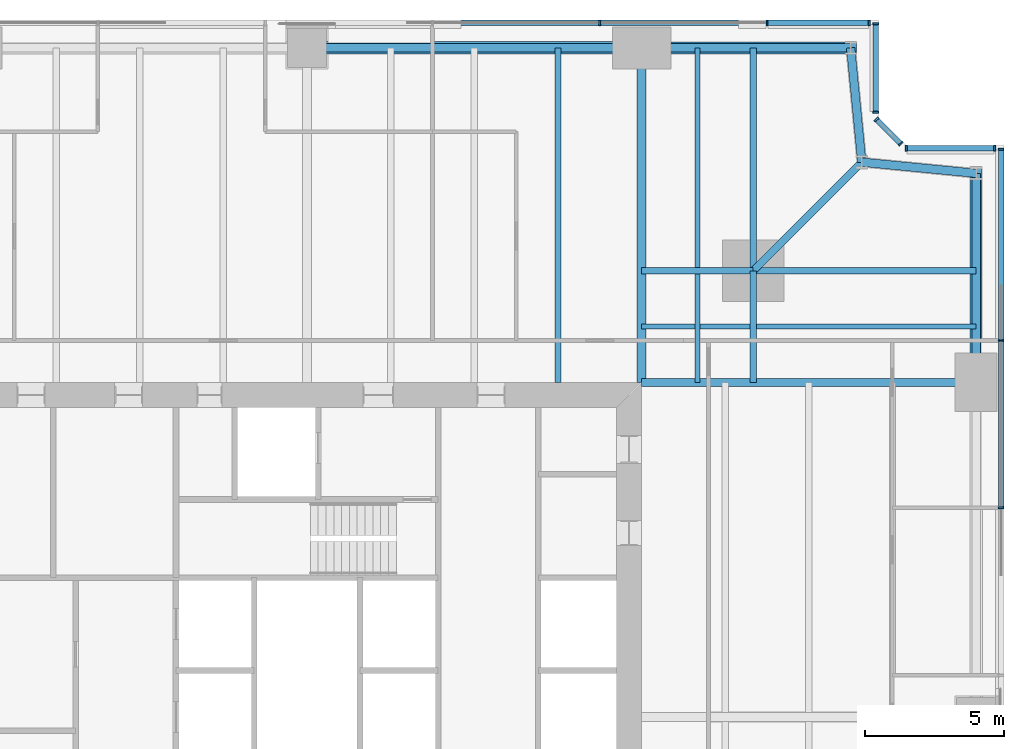
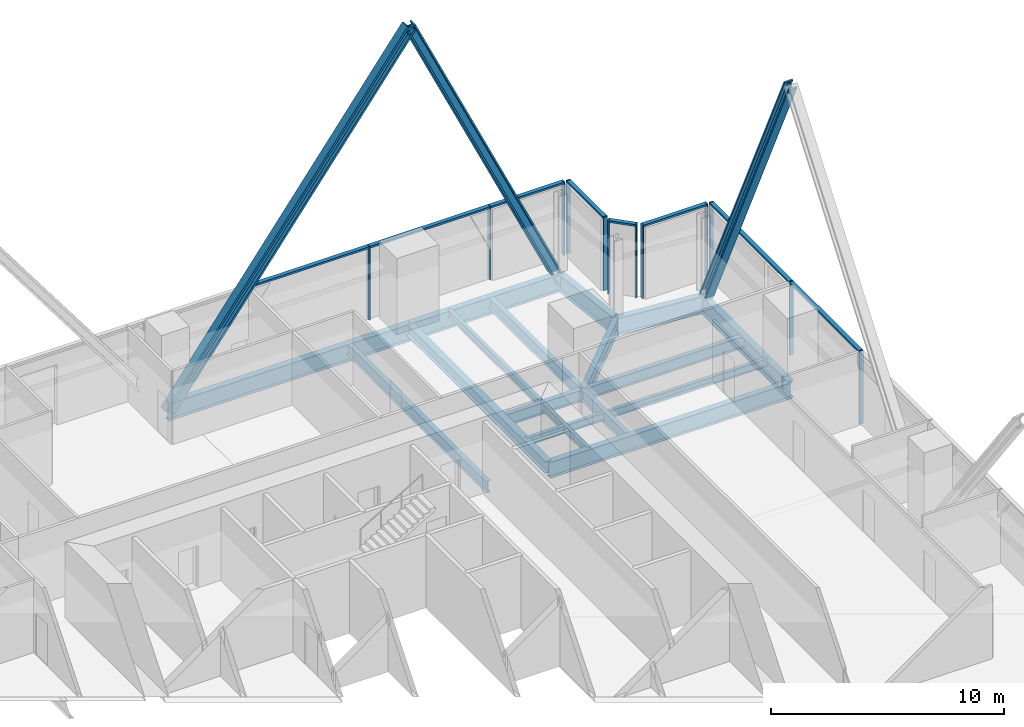
# One storey, part 7 of 13: 23 members, 18 beams, 5 elements without a shape of their own.
"""IFC4 building model written with IfcOpenShell, lengths in metres."""

import ifcopenshell
import ifcopenshell.guid

model = None  # the IFC model being written
_history = None  # IfcOwnerHistory: only IFC2X3 demands one
_inside = {}  # id of a spatial element -> (the spatial element, [elements in it])
_under = {}  # id of a project, library or spatial element -> (it, [spatial elements below it])
_declared = {}  # id of a project -> (the project, [libraries it declares])
_typed = {}  # id of a type object -> (the type object, [elements of that type])
_made_of = {}  # id of a material, layer set ... -> (it, [elements and type objects made of it])


def new_model(schema):
    """Start an empty IFC model of exactly this schema.

    Asked for "IFC4X3", IfcOpenShell would pick the latest addendum, in which some entities
    have other attributes; the version numbers below select the first issue.
    IFC2X3 requires an IfcOwnerHistory on every rooted entity: one is made here for all.
    """
    global model, _history
    if schema == "IFC4X3":
        model = ifcopenshell.file(schema_version=(4, 3, 0, 0))
    else:
        model = ifcopenshell.file(schema=schema)
    _inside.clear()
    _under.clear()
    _declared.clear()
    _typed.clear()
    _made_of.clear()
    _history = None
    if model.schema == "IFC2X3":
        org = make("IfcOrganization", Name="unknown")
        user = make(
            "IfcPersonAndOrganization",
            ThePerson=make("IfcPerson", FamilyName="unknown"),
            TheOrganization=org,
        )
        app = make(
            "IfcApplication",
            ApplicationDeveloper=org,
            Version="unknown",
            ApplicationFullName="unknown",
            ApplicationIdentifier="unknown",
        )
        _history = make(
            "IfcOwnerHistory",
            OwningUser=user,
            OwningApplication=app,
            ChangeAction="ADDED",
            CreationDate=0,
        )
    return model


def make(cls, **values):
    """One entity of the class cls with the attributes given. An attribute that is None is left unset."""
    return model.create_entity(
        cls, **{name: value for name, value in values.items() if value is not None}
    )


def rooted(cls, **values):
    """An entity with a GlobalId (a new one), such as an element, a storey or a relation."""
    return make(cls, GlobalId=ifcopenshell.guid.new(), OwnerHistory=_history, **values)


def si_unit(unit_type, name, prefix=None):
    """IfcSIUnit, for example si_unit("LENGTHUNIT", "METRE", prefix="MILLI")."""
    return make("IfcSIUnit", UnitType=unit_type, Prefix=prefix, Name=name)


def assignment(units):
    """IfcUnitAssignment: the units of a project."""
    return None if units is None else make("IfcUnitAssignment", Units=units)


def point(xyz):
    """IfcCartesianPoint."""
    return None if xyz is None else make("IfcCartesianPoint", Coordinates=xyz)


def direction(xyz):
    """IfcDirection."""
    return None if xyz is None else make("IfcDirection", DirectionRatios=xyz)


def frame(location, z_axis=None, x_axis=None):
    """IfcAxis2Placement3D, a coordinate frame: its origin and axes. An axis left out is left unset."""
    return make(
        "IfcAxis2Placement3D",
        Location=point(location),
        Axis=direction(z_axis),
        RefDirection=direction(x_axis),
    )


def frame_2d(location, x_axis=None):
    """IfcAxis2Placement2D, a coordinate frame in the plane: its origin and x axis."""
    return make(
        "IfcAxis2Placement2D", Location=point(location), RefDirection=direction(x_axis)
    )


def origin():
    """The frame at (0, 0, 0) with its axes left unset."""
    return frame((0.0, 0.0, 0.0))


def origin_2d():
    """The frame at (0, 0) in the plane with its x axis left unset."""
    return frame_2d((0.0, 0.0))


def place(relative_to, where):
    """IfcLocalPlacement: puts the frame where relative to a parent placement (None: the world)."""
    return make(
        "IfcLocalPlacement", PlacementRelTo=relative_to, RelativePlacement=where
    )


def context(
    kind, dimensions, precision=None, world=None, true_north=None, identifier=None
):
    """IfcGeometricRepresentationContext, for example the 3D "Model" context."""
    return make(
        "IfcGeometricRepresentationContext",
        ContextIdentifier=identifier,
        ContextType=kind,
        CoordinateSpaceDimension=dimensions,
        Precision=precision,
        WorldCoordinateSystem=world,
        TrueNorth=true_north,
    )


def subcontext(parent, identifier, kind, view, scale=None):
    """IfcGeometricRepresentationSubContext, for example "Body" below "Model"."""
    return make(
        "IfcGeometricRepresentationSubContext",
        ContextIdentifier=identifier,
        ContextType=kind,
        ParentContext=parent,
        TargetScale=scale,
        TargetView=view,
    )


def project(units=None, contexts=None):
    """IfcProject with its units and contexts."""
    return rooted(
        "IfcProject",
        Name="project",
        RepresentationContexts=contexts,
        UnitsInContext=assignment(units),
    )


def spatial(cls, under=None, at=None, **own):
    """A site, building, storey or space (cls), placed at a placement, below another one or the project."""
    s = rooted(cls, ObjectPlacement=at, **own)
    if under is not None:
        _under.setdefault(under.id(), (under, []))[1].append(s)
    return s


def profile(cls, at=None, kind="AREA", **sizes):
    """A parametric profile (cls). Its sizes go by their IFC names, for example OverallWidth=200.0."""
    return make(cls, ProfileType=kind, Position=at, **sizes)


def rectangle(**sizes):
    """IfcRectangleProfileDef."""
    return profile("IfcRectangleProfileDef", **sizes)


def i_section(**sizes):
    """IfcIShapeProfileDef."""
    return profile("IfcIShapeProfileDef", **sizes)


def extrude(swept, where, along, depth):
    """IfcExtrudedAreaSolid: the profile swept, set in the frame where, extruded along a direction by depth."""
    return make(
        "IfcExtrudedAreaSolid",
        SweptArea=swept,
        Position=where,
        ExtrudedDirection=direction(along),
        Depth=depth,
    )


def shape(context_of_items, identifier, shape_type, items):
    """IfcShapeRepresentation: the items that make up one representation, for example the "Body"."""
    return make(
        "IfcShapeRepresentation",
        ContextOfItems=context_of_items,
        RepresentationIdentifier=identifier,
        RepresentationType=shape_type,
        Items=items,
    )


def material(Name=None, Category=None):
    """IfcMaterial."""
    return make("IfcMaterial", Name=Name, Category=Category)


def material_profile(
    of_material, cross_section, Name=None, Category=None, Priority=None
):
    """IfcMaterialProfile: a cross section and its material."""
    return make(
        "IfcMaterialProfile",
        Name=Name,
        Material=of_material,
        Profile=cross_section,
        Priority=Priority,
        Category=Category,
    )


def profile_set(profiles, Name=None, composite=None):
    """IfcMaterialProfileSet."""
    return make(
        "IfcMaterialProfileSet",
        Name=Name,
        MaterialProfiles=profiles,
        CompositeProfile=composite,
    )


def made_of(thing, what):
    """Note that an element or type object is made of a material, layer set ...; save() writes the relation."""
    if what is not None:
        _made_of.setdefault(what.id(), (what, []))[1].append(thing)
    return thing


def type_object(cls, material=None, **own):
    """A type object (cls), such as IfcWallType, which elements share."""
    return made_of(rooted(cls, **own), material)


def element(
    cls,
    number,
    at=None,
    inside=None,
    cuts=None,
    type_object=None,
    material=None,
    context=None,
    identifier="Body",
    shape_type=None,
    held_by="IfcProductDefinitionShape",
    body=None,
    shapes=None,
    **own,
):
    """One element of the class cls, such as IfcWall. Its Tag is "e" and its number.

    at: its placement. inside: the storey or other place that contains it. cuts: it is an
    opening in that element (IfcRelVoidsElement). A single representation is given by context,
    identifier, shape_type and body (its items); several are given by shapes. held_by: the class
    of the entity that holds the representations. save() writes the other relations.
    """
    e = rooted(cls, Tag="e%d" % number, ObjectPlacement=at, **own)
    if body is not None:
        shapes = [shape(context, identifier, shape_type, body)]
    if shapes is not None:
        e.Representation = make(held_by, Representations=shapes)
    if inside is not None:
        _inside.setdefault(inside.id(), (inside, []))[1].append(e)
    if cuts is not None:
        rooted(
            "IfcRelVoidsElement", RelatingBuildingElement=cuts, RelatedOpeningElement=e
        )
    if type_object is not None:
        _typed.setdefault(type_object.id(), (type_object, []))[1].append(e)
    return made_of(e, material)


def aggregate(whole, parts):
    """IfcRelAggregates: a whole, such as a stair, and the parts it consists of."""
    return rooted("IfcRelAggregates", RelatingObject=whole, RelatedObjects=parts)


def save(model, path):
    """Write the relations noted so far, then the file.

    IfcRelAggregates (storeys below a building ...), IfcRelContainedInSpatialStructure (elements
    in a storey), IfcRelDefinesByType, IfcRelAssociatesMaterial and IfcRelDeclares: one each for
    every whole, place, type object, material and project.
    """
    for whole, parts in _under.values():
        aggregate(whole, parts)
    for where, things in _inside.values():
        rooted(
            "IfcRelContainedInSpatialStructure",
            RelatedElements=things,
            RelatingStructure=where,
        )
    for kind, things in _typed.values():
        rooted("IfcRelDefinesByType", RelatedObjects=things, RelatingType=kind)
    for what, things in _made_of.values():
        rooted("IfcRelAssociatesMaterial", RelatedObjects=things, RelatingMaterial=what)
    for by, libraries in _declared.values():
        rooted("IfcRelDeclares", RelatingContext=by, RelatedDefinitions=libraries)
    model.write(path)


model = new_model("IFC4")

# Units and contexts
model_context = context("Model", 3, precision=1e-05, world=origin(), true_north=direction((0.0, 1.0)))
body_context = subcontext(model_context, "Body", "Model", "MODEL_VIEW")
ifc_project = project(units=[si_unit("LENGTHUNIT", "METRE"), si_unit("AREAUNIT", "SQUARE_METRE"), si_unit("VOLUMEUNIT", "CUBIC_METRE"), si_unit("PLANEANGLEUNIT", "RADIAN"), si_unit("MASSUNIT", "GRAM", prefix="KILO")], contexts=[model_context])

# Site, building, storey
site_placement = place(None, origin())
site = spatial("IfcSite", under=ifc_project, at=site_placement, CompositionType="ELEMENT")
building_placement = place(site_placement, origin())
building = spatial("IfcBuilding", under=site, at=building_placement, Name="Fenwick Lantern Interchange", CompositionType="ELEMENT")
storey_placement = place(building_placement, frame((0.0, 0.0, 114.39990234375)))
storey = spatial("IfcBuildingStorey", under=building, at=storey_placement, Name="L26", CompositionType="ELEMENT", Elevation=114.39990234375)

# Beams
ifc_material_1 = material(Name="Steel ASTM A992 Grade 50", Category="steel")
ifc_material_profile_1 = material_profile(ifc_material_1, i_section(OverallWidth=0.3046875, OverallDepth=0.911865234375, WebThickness=0.015869140625, FlangeThickness=0.02392578125, at=origin_2d()), Name="W36X150")
ifc_profile_set_1 = profile_set([ifc_material_profile_1], Name="Steel ASTM A992 Grade 50")
beam_type_1 = type_object("IfcBeamType", Name="EDGE BEAM W36X150", PredefinedType="SPANDREL", material=ifc_profile_set_1)
beam_1_placement = place(storey_placement, frame((49.0, 37.0, -0.605712890625), z_axis=(0.0, 1.0, 0.0), x_axis=(-1.0, 0.0, 0.0)))
element("IfcBeam", 1, at=beam_1_placement, inside=storey, type_object=beam_type_1, Name="L26/FR/E/EB4", PredefinedType="SPANDREL", context=body_context, shape_type="SweptSolid", body=[
    extrude(i_section(OverallWidth=0.3046875, OverallDepth=0.911865234375, WebThickness=0.015869140625, FlangeThickness=0.02392578125, at=origin_2d()), origin(), (0.0, 0.0, 1.0), 7.5),
])
for number, where, z_axis, x_axis, name in (
    (2, (49.0, 44.5, -0.605712890625), (-0.995277148028, 0.097074191287, 0.0), (-0.097074191287, -0.995277148028, 0.0), "L26/FR/E/EBR1"),
    (3, (44.89990234375, 44.89990234375, -0.605712890625), (-0.097074191287, 0.995277148028, 0.0), (-0.995277148028, -0.097074191287, 0.0), "L26/FR/E/EBR2"),
):
    element("IfcBeam", number, at=place(storey_placement, frame(where, z_axis=z_axis, x_axis=x_axis)), inside=storey, type_object=beam_type_1, Name=name, PredefinedType="SPANDREL", context=body_context, shape_type="SweptSolid", body=[
        extrude(i_section(OverallWidth=0.3046875, OverallDepth=0.911865234375, WebThickness=0.015869140625, FlangeThickness=0.02392578125, at=origin_2d()), origin(), (0.0, 0.0, 1.0), 4.11962890625),
    ])
beam_2_placement = place(storey_placement, frame((44.5, 49.0, -0.605712890625), z_axis=(-1.0, 0.0, 0.0), x_axis=(0.0, -1.0, 0.0)))
element("IfcBeam", 4, at=beam_2_placement, inside=storey, type_object=beam_type_1, Name="L26/FR/N/EB1", PredefinedType="SPANDREL", context=body_context, shape_type="SweptSolid", body=[
    extrude(i_section(OverallWidth=0.3046875, OverallDepth=0.911865234375, WebThickness=0.015869140625, FlangeThickness=0.02392578125, at=origin_2d()), origin(), (0.0, 0.0, 1.0), 7.5),
])
beam_3_placement = place(storey_placement, frame((37.0, 49.0, -0.605712890625), z_axis=(-1.0, 0.0, 0.0), x_axis=(0.0, -1.0, 0.0)))
element("IfcBeam", 5, at=beam_3_placement, inside=storey, type_object=beam_type_1, Name="L26/FR/N/EB2", PredefinedType="SPANDREL", context=body_context, shape_type="SweptSolid", body=[
    extrude(i_section(OverallWidth=0.3046875, OverallDepth=0.911865234375, WebThickness=0.015869140625, FlangeThickness=0.02392578125, at=origin_2d()), origin(), (0.0, 0.0, 1.0), 12.0),
])

# Members
ifc_material_profile_2 = material_profile(ifc_material_1, i_section(OverallWidth=0.424072265625, OverallDepth=0.47509765625, WebThickness=0.0478515625, FlangeThickness=0.0771484375, at=origin_2d()), Name="W14X426")
ifc_profile_set_2 = profile_set([ifc_material_profile_2], Name="Steel ASTM A992 Grade 50")
member_type_1 = type_object("IfcMemberType", Name="FACADE BRACE W14X426", PredefinedType="BRACE", material=ifc_profile_set_2)
for number, where, z_axis, x_axis, name in (
    (6, (49.0, 44.5, -0.605712890625), (0.0, -0.424433876231, 0.905458935959), (1.0, 0.0, 0.0), "L26/FB/E/BE"),
    (7, (44.5, 49.0, -0.605712890625), (-0.424433876231, 0.0, 0.905458935959), (0.0, -1.0, 0.0), "L26/FB/N/AE"),
):
    element("IfcMember", number, at=place(storey_placement, frame(where, z_axis=z_axis, x_axis=x_axis)), inside=storey, type_object=member_type_1, Name=name, PredefinedType="BRACE", context=body_context, shape_type="SweptSolid", body=[
        extrude(i_section(OverallWidth=0.424072265625, OverallDepth=0.47509765625, WebThickness=0.0478515625, FlangeThickness=0.0771484375, at=origin_2d()), origin(), (0.0, 0.0, 1.0), 17.670654296875),
    ])
ifc_material_profile_3 = material_profile(ifc_material_1, i_section(OverallWidth=0.44189453125, OverallDepth=0.53076171875, WebThickness=0.06591796875, FlangeThickness=0.105712890625, at=origin_2d()), Name="W14X605")
ifc_profile_set_3 = profile_set([ifc_material_profile_3], Name="Steel ASTM A992 Grade 50")
member_type_2 = type_object("IfcMemberType", Name="FACADE BRACE W14X605", PredefinedType="BRACE", material=ifc_profile_set_3)
member_1_placement = place(storey_placement, frame((25.0, 49.0, -0.605712890625), z_axis=(0.6, 0.0, 0.8), x_axis=(0.0, 1.0, 0.0)))
element("IfcMember", 8, at=member_1_placement, inside=storey, type_object=member_type_2, Name="L26/FB/N/A", PredefinedType="BRACE", context=body_context, shape_type="SweptSolid", body=[
    extrude(i_section(OverallWidth=0.44189453125, OverallDepth=0.53076171875, WebThickness=0.06591796875, FlangeThickness=0.105712890625, at=origin_2d()), origin(), (0.0, 0.0, 1.0), 20.0),
])

# Beams
ifc_material_profile_4 = material_profile(ifc_material_1, i_section(OverallWidth=0.22900390625, OverallDepth=0.612060546875, WebThickness=0.011962890625, FlangeThickness=0.01953125, at=origin_2d()), Name="W24X84")
ifc_profile_set_4 = profile_set([ifc_material_profile_4], Name="Steel ASTM A992 Grade 50")
beam_type_2 = type_object("IfcBeamType", Name="FLOOR BEAM W24X84", PredefinedType="BEAM", material=ifc_profile_set_4)
beam_4_placement = place(storey_placement, frame((34.0, 49.0, -0.4560546875), z_axis=(0.0, -1.0, 0.0), x_axis=(1.0, 0.0, 0.0)))
element("IfcBeam", 9, at=beam_4_placement, inside=storey, type_object=beam_type_2, Name="L26/FR/N/R02", PredefinedType="BEAM", context=body_context, shape_type="SweptSolid", body=[
    extrude(i_section(OverallWidth=0.22900390625, OverallDepth=0.612060546875, WebThickness=0.011962890625, FlangeThickness=0.01953125, at=origin_2d()), origin(), (0.0, 0.0, 1.0), 12.0),
])
ifc_material_profile_5 = material_profile(ifc_material_1, i_section(OverallWidth=0.177734375, OverallDepth=0.406494140625, WebThickness=0.0078125, FlangeThickness=0.012939453125, at=origin_2d()), Name="W16X40")
ifc_profile_set_5 = profile_set([ifc_material_profile_5], Name="Steel ASTM A992 Grade 50")
beam_type_3 = type_object("IfcBeamType", Name="INFILL BEAM W16X40", PredefinedType="JOIST", material=ifc_profile_set_5)
beam_5_placement = place(storey_placement, frame((39.0, 49.0, -0.35302734375), z_axis=(0.0, -1.0, 0.0), x_axis=(1.0, 0.0, 0.0)))
element("IfcBeam", 10, at=beam_5_placement, inside=storey, type_object=beam_type_3, Name="L26/FR/N/J1", PredefinedType="JOIST", context=body_context, shape_type="SweptSolid", body=[
    extrude(i_section(OverallWidth=0.177734375, OverallDepth=0.406494140625, WebThickness=0.0078125, FlangeThickness=0.012939453125, at=origin_2d()), origin(), (0.0, 0.0, 1.0), 7.885498046875),
])
beam_6_placement = place(storey_placement, frame((39.0, 40.885498046875, -0.35302734375), z_axis=(0.0, -1.0, 0.0), x_axis=(1.0, 0.0, 0.0)))
element("IfcBeam", 11, at=beam_6_placement, inside=storey, type_object=beam_type_3, Name="L26/FR/N/J2", PredefinedType="JOIST", context=body_context, shape_type="SweptSolid", body=[
    extrude(i_section(OverallWidth=0.177734375, OverallDepth=0.406494140625, WebThickness=0.0078125, FlangeThickness=0.012939453125, at=origin_2d()), origin(), (0.0, 0.0, 1.0), 3.885498046875),
])
beam_7_placement = place(storey_placement, frame((49.0, 39.0, -0.35302734375), z_axis=(-1.0, 0.0, 0.0), x_axis=(0.0, -1.0, 0.0)))
element("IfcBeam", 12, at=beam_7_placement, inside=storey, type_object=beam_type_3, Name="L26/FR/N/J3", PredefinedType="JOIST", context=body_context, shape_type="SweptSolid", body=[
    extrude(i_section(OverallWidth=0.177734375, OverallDepth=0.406494140625, WebThickness=0.0078125, FlangeThickness=0.012939453125, at=origin_2d()), origin(), (0.0, 0.0, 1.0), 7.885498046875),
])
beam_8_placement = place(storey_placement, frame((40.885498046875, 39.0, -0.35302734375), z_axis=(-1.0, 0.0, 0.0), x_axis=(0.0, -1.0, 0.0)))
element("IfcBeam", 13, at=beam_8_placement, inside=storey, type_object=beam_type_3, Name="L26/FR/N/J4", PredefinedType="JOIST", context=body_context, shape_type="SweptSolid", body=[
    extrude(i_section(OverallWidth=0.177734375, OverallDepth=0.406494140625, WebThickness=0.0078125, FlangeThickness=0.012939453125, at=origin_2d()), origin(), (0.0, 0.0, 1.0), 1.796630859375),
])
beam_9_placement = place(storey_placement, frame((38.9111328125, 39.0, -0.35302734375), z_axis=(-1.0, 0.0, 0.0), x_axis=(0.0, -1.0, 0.0)))
element("IfcBeam", 14, at=beam_9_placement, inside=storey, type_object=beam_type_3, Name="L26/FR/N/J5", PredefinedType="JOIST", context=body_context, shape_type="SweptSolid", body=[
    extrude(i_section(OverallWidth=0.177734375, OverallDepth=0.406494140625, WebThickness=0.0078125, FlangeThickness=0.012939453125, at=origin_2d()), origin(), (0.0, 0.0, 1.0), 1.9111328125),
])
ifc_material_profile_6 = material_profile(ifc_material_1, i_section(OverallWidth=0.22900390625, OverallDepth=0.612060546875, WebThickness=0.011962890625, FlangeThickness=0.01953125, at=origin_2d()), Name="W24X84")
ifc_profile_set_6 = profile_set([ifc_material_profile_6], Name="Steel ASTM A992 Grade 50")
beam_type_4 = type_object("IfcBeamType", Name="MEGA COLUMN BEAM W24X84", PredefinedType="BEAM", material=ifc_profile_set_6)
for number, where, z_axis, x_axis, name in (
    (15, (41.0, 41.0, -0.4560546875), (0.0, 1.0, 0.0), (-1.0, 0.0, 0.0), "L26/FR/N/MB1"),
    (16, (41.0, 41.0, -0.4560546875), (1.0, 0.0, 0.0), (0.0, 1.0, 0.0), "L26/FR/N/MB2"),
):
    element("IfcBeam", number, at=place(storey_placement, frame(where, z_axis=z_axis, x_axis=x_axis)), inside=storey, type_object=beam_type_4, Name=name, PredefinedType="BEAM", context=body_context, shape_type="SweptSolid", body=[
        extrude(i_section(OverallWidth=0.22900390625, OverallDepth=0.612060546875, WebThickness=0.011962890625, FlangeThickness=0.01953125, at=origin_2d()), origin(), (0.0, 0.0, 1.0), 8.0),
    ])
for number, where, z_axis, x_axis, name in (
    (17, (41.0, 41.0, -0.4560546875), (-1.0, 0.0, 0.0), (0.0, -1.0, 0.0), "L26/FR/N/MB3"),
    (18, (41.0, 41.0, -0.4560546875), (0.0, -1.0, 0.0), (1.0, 0.0, 0.0), "L26/FR/N/MB4"),
):
    element("IfcBeam", number, at=place(storey_placement, frame(where, z_axis=z_axis, x_axis=x_axis)), inside=storey, type_object=beam_type_4, Name=name, PredefinedType="BEAM", context=body_context, shape_type="SweptSolid", body=[
        extrude(i_section(OverallWidth=0.22900390625, OverallDepth=0.612060546875, WebThickness=0.011962890625, FlangeThickness=0.01953125, at=origin_2d()), origin(), (0.0, 0.0, 1.0), 4.0),
    ])
ifc_material_profile_7 = material_profile(ifc_material_1, i_section(OverallWidth=0.32763671875, OverallDepth=0.622314453125, WebThickness=0.015380859375, FlangeThickness=0.0244140625, at=origin_2d()), Name="W24X131")
ifc_profile_set_7 = profile_set([ifc_material_profile_7], Name="Steel ASTM A992 Grade 50")
beam_type_5 = type_object("IfcBeamType", Name="MOMENT-CONNECTED GIRDER W24X131", PredefinedType="BEAM", material=ifc_profile_set_7)
beam_10_placement = place(storey_placement, frame((37.0, 49.0, -0.4609375), z_axis=(0.0, -1.0, 0.0), x_axis=(1.0, 0.0, 0.0)))
element("IfcBeam", 19, at=beam_10_placement, inside=storey, type_object=beam_type_5, Name="L26/FR/N/R01", PredefinedType="BEAM", context=body_context, shape_type="SweptSolid", body=[
    extrude(i_section(OverallWidth=0.32763671875, OverallDepth=0.622314453125, WebThickness=0.015380859375, FlangeThickness=0.0244140625, at=origin_2d()), origin(), (0.0, 0.0, 1.0), 12.0),
])
ifc_material_profile_8 = material_profile(ifc_material_1, i_section(OverallWidth=0.2919921875, OverallDepth=0.845703125, WebThickness=0.015380859375, FlangeThickness=0.0244140625, at=origin_2d()), Name="W33X141")
ifc_profile_set_8 = profile_set([ifc_material_profile_8], Name="Steel ASTM A992 Grade 50")
beam_type_6 = type_object("IfcBeamType", Name="MOMENT-CONNECTED GIRDER W33X141", PredefinedType="BEAM", material=ifc_profile_set_8)
beam_11_placement = place(storey_placement, frame((49.0, 37.0, -0.57275390625), z_axis=(-1.0, 0.0, 0.0), x_axis=(0.0, -1.0, 0.0)))
element("IfcBeam", 20, at=beam_11_placement, inside=storey, type_object=beam_type_6, Name="L26/FR/E/R03", PredefinedType="BEAM", context=body_context, shape_type="SweptSolid", body=[
    extrude(i_section(OverallWidth=0.2919921875, OverallDepth=0.845703125, WebThickness=0.015380859375, FlangeThickness=0.0244140625, at=origin_2d()), origin(), (0.0, 0.0, 1.0), 12.0),
])
ifc_material_profile_9 = material_profile(ifc_material_1, i_section(OverallWidth=0.2666015625, OverallDepth=0.7568359375, WebThickness=0.013916015625, FlangeThickness=0.019287109375, at=origin_2d()), Name="W30X108")
ifc_profile_set_9 = profile_set([ifc_material_profile_9], Name="Steel ASTM A992 Grade 50")
beam_type_7 = type_object("IfcBeamType", Name="NOTCH BEAM W30X108", PredefinedType="BEAM", material=ifc_profile_set_9)
beam_12_placement = place(storey_placement, frame((41.0, 41.0, -0.5283203125), z_axis=(0.707106781187, 0.707106781187, 0.0), x_axis=(-0.707106781187, 0.707106781187, 0.0)))
element("IfcBeam", 21, at=beam_12_placement, inside=storey, type_object=beam_type_7, Name="L26/FR/N/TG", PredefinedType="BEAM", context=body_context, shape_type="SweptSolid", body=[
    extrude(i_section(OverallWidth=0.2666015625, OverallDepth=0.7568359375, WebThickness=0.013916015625, FlangeThickness=0.019287109375, at=origin_2d()), origin(), (0.0, 0.0, 1.0), 5.515380859375),
])

# Curtain wall, members
ifc_material_2 = material(Name="Aluminium curtain wall frame", Category="aluminium")
curtain_wall_type = type_object("IfcCurtainWallType", Name="OFFICE CURTAIN WALL", PredefinedType="USERDEFINED", material=ifc_material_2)
curtain_wall_1_placement = place(storey_placement, origin())
curtain_wall_1 = element("IfcCurtainWall", 22, at=curtain_wall_1_placement, inside=storey, type_object=curtain_wall_type, Name="Office curtain wall 05", ObjectType="OFFICE CURTAIN WALL", PredefinedType="USERDEFINED")
ifc_material_3 = material(Name="Aluminium extrusion", Category="aluminium")
ifc_material_profile_10 = material_profile(ifc_material_3, rectangle(XDim=0.199951171875, YDim=0.06494140625, at=origin_2d()), Name="OFFICE CURTAIN WALL MULLION 65 X 200")
ifc_profile_set_10 = profile_set([ifc_material_profile_10], Name="Aluminium extrusion")
member_type_3 = type_object("IfcMemberType", Name="OFFICE CURTAIN WALL MULLION 65 X 200", PredefinedType="MULLION", material=ifc_profile_set_10)
member_2_placement = place(storey_placement, frame((49.89990234375, 32.5, 0.0), z_axis=(0.0, 0.0, 1.0), x_axis=(-1.0, 0.0, 0.0)))
member_2 = element("IfcMember", 23, at=member_2_placement, type_object=member_type_3, Name="L26/CW/05/M05", PredefinedType="MULLION", context=body_context, shape_type="SweptSolid", body=[
    extrude(rectangle(XDim=0.199951171875, YDim=0.06494140625, at=origin_2d()), origin(), (0.0, 0.0, 1.0), 3.85009765625),
])
member_3_placement = place(storey_placement, frame((49.89990234375, 38.5, 0.0), z_axis=(0.0, 0.0, 1.0), x_axis=(-1.0, 0.0, 0.0)))
member_3 = element("IfcMember", 24, at=member_3_placement, type_object=member_type_3, Name="L26/CW/05/M06", PredefinedType="MULLION", context=body_context, shape_type="SweptSolid", body=[
    extrude(rectangle(XDim=0.199951171875, YDim=0.06494140625, at=origin_2d()), origin(), (0.0, 0.0, 1.0), 3.85009765625),
])
member_4_placement = place(storey_placement, frame((49.89990234375, 45.367431640625, 0.0), z_axis=(0.0, 0.0, 1.0), x_axis=(-1.0, 0.0, 0.0)))
member_4 = element("IfcMember", 25, at=member_4_placement, type_object=member_type_3, Name="L26/CW/05/M07", PredefinedType="MULLION", context=body_context, shape_type="SweptSolid", body=[
    extrude(rectangle(XDim=0.199951171875, YDim=0.06494140625, at=origin_2d()), origin(), (0.0, 0.0, 1.0), 3.85009765625),
])

curtain_wall_2_placement = place(storey_placement, origin())
curtain_wall_2 = element("IfcCurtainWall", 26, at=curtain_wall_2_placement, inside=storey, type_object=curtain_wall_type, Name="Office curtain wall 06", ObjectType="OFFICE CURTAIN WALL", PredefinedType="USERDEFINED")
member_5_placement = place(storey_placement, frame((49.66748046875, 45.39990234375, 0.0), z_axis=(0.0, 0.0, 1.0), x_axis=(0.0, -1.0, 0.0)))
member_5 = element("IfcMember", 27, at=member_5_placement, type_object=member_type_3, Name="L26/CW/06/M00", PredefinedType="MULLION", context=body_context, shape_type="SweptSolid", body=[
    extrude(rectangle(XDim=0.199951171875, YDim=0.06494140625, at=origin_2d()), origin(), (0.0, 0.0, 1.0), 3.85009765625),
])
member_6_placement = place(storey_placement, frame((46.490966796875, 45.39990234375, 0.0), z_axis=(0.0, 0.0, 1.0), x_axis=(0.0, -1.0, 0.0)))
member_6 = element("IfcMember", 28, at=member_6_placement, type_object=member_type_3, Name="L26/CW/06/M01", PredefinedType="MULLION", context=body_context, shape_type="SweptSolid", body=[
    extrude(rectangle(XDim=0.199951171875, YDim=0.06494140625, at=origin_2d()), origin(), (0.0, 0.0, 1.0), 3.85009765625),
])

curtain_wall_3_placement = place(storey_placement, origin())
curtain_wall_3 = element("IfcCurtainWall", 29, at=curtain_wall_3_placement, inside=storey, type_object=curtain_wall_type, Name="Office curtain wall 07", ObjectType="OFFICE CURTAIN WALL", PredefinedType="USERDEFINED")
member_7_placement = place(storey_placement, frame((46.294189453125, 45.564453125, 0.0), z_axis=(0.0, 0.0, 1.0), x_axis=(-0.707106781187, -0.707106781187, 0.0)))
member_7 = element("IfcMember", 30, at=member_7_placement, type_object=member_type_3, Name="L26/CW/07/M00", PredefinedType="MULLION", context=body_context, shape_type="SweptSolid", body=[
    extrude(rectangle(XDim=0.199951171875, YDim=0.06494140625, at=origin_2d()), origin(), (0.0, 0.0, 1.0), 3.85009765625),
])
member_8_placement = place(storey_placement, frame((45.423095703125, 46.435546875, 0.0), z_axis=(0.0, 0.0, 1.0), x_axis=(-0.707106781187, -0.707106781187, 0.0)))
member_8 = element("IfcMember", 31, at=member_8_placement, type_object=member_type_3, Name="L26/CW/07/M01", PredefinedType="MULLION", context=body_context, shape_type="SweptSolid", body=[
    extrude(rectangle(XDim=0.199951171875, YDim=0.06494140625, at=origin_2d()), origin(), (0.0, 0.0, 1.0), 3.85009765625),
])

curtain_wall_4_placement = place(storey_placement, origin())
curtain_wall_4 = element("IfcCurtainWall", 32, at=curtain_wall_4_placement, inside=storey, type_object=curtain_wall_type, Name="Office curtain wall 08", ObjectType="OFFICE CURTAIN WALL", PredefinedType="USERDEFINED")
member_9_placement = place(storey_placement, frame((45.39990234375, 46.691162109375, 0.0), z_axis=(0.0, 0.0, 1.0), x_axis=(-1.0, 0.0, 0.0)))
member_9 = element("IfcMember", 33, at=member_9_placement, type_object=member_type_3, Name="L26/CW/08/M00", PredefinedType="MULLION", context=body_context, shape_type="SweptSolid", body=[
    extrude(rectangle(XDim=0.199951171875, YDim=0.06494140625, at=origin_2d()), origin(), (0.0, 0.0, 1.0), 3.85009765625),
])
member_10_placement = place(storey_placement, frame((45.39990234375, 49.867431640625, 0.0), z_axis=(0.0, 0.0, 1.0), x_axis=(-1.0, 0.0, 0.0)))
member_10 = element("IfcMember", 34, at=member_10_placement, type_object=member_type_3, Name="L26/CW/08/M01", PredefinedType="MULLION", context=body_context, shape_type="SweptSolid", body=[
    extrude(rectangle(XDim=0.199951171875, YDim=0.06494140625, at=origin_2d()), origin(), (0.0, 0.0, 1.0), 3.85009765625),
])

curtain_wall_5_placement = place(storey_placement, origin())
curtain_wall_5 = element("IfcCurtainWall", 35, at=curtain_wall_5_placement, inside=storey, type_object=curtain_wall_type, Name="Office curtain wall 09", ObjectType="OFFICE CURTAIN WALL", PredefinedType="USERDEFINED")
member_11_placement = place(storey_placement, frame((45.16748046875, 49.89990234375, 0.0), z_axis=(0.0, 0.0, 1.0), x_axis=(0.0, -1.0, 0.0)))
member_11 = element("IfcMember", 36, at=member_11_placement, type_object=member_type_3, Name="L26/CW/09/M00", PredefinedType="MULLION", context=body_context, shape_type="SweptSolid", body=[
    extrude(rectangle(XDim=0.199951171875, YDim=0.06494140625, at=origin_2d()), origin(), (0.0, 0.0, 1.0), 3.85009765625),
])
member_12_placement = place(storey_placement, frame((41.5, 49.89990234375, 0.0), z_axis=(0.0, 0.0, 1.0), x_axis=(0.0, -1.0, 0.0)))
member_12 = element("IfcMember", 37, at=member_12_placement, type_object=member_type_3, Name="L26/CW/09/M01", PredefinedType="MULLION", context=body_context, shape_type="SweptSolid", body=[
    extrude(rectangle(XDim=0.199951171875, YDim=0.06494140625, at=origin_2d()), origin(), (0.0, 0.0, 1.0), 3.85009765625),
])
member_13_placement = place(storey_placement, frame((35.5, 49.89990234375, 0.0), z_axis=(0.0, 0.0, 1.0), x_axis=(0.0, -1.0, 0.0)))
member_13 = element("IfcMember", 38, at=member_13_placement, type_object=member_type_3, Name="L26/CW/09/M02", PredefinedType="MULLION", context=body_context, shape_type="SweptSolid", body=[
    extrude(rectangle(XDim=0.199951171875, YDim=0.06494140625, at=origin_2d()), origin(), (0.0, 0.0, 1.0), 3.85009765625),
])

# Member
ifc_material_profile_11 = material_profile(ifc_material_3, rectangle(XDim=0.199951171875, YDim=0.10009765625, at=origin_2d()), Name="OFFICE CURTAIN WALL TRANSOM 100 X 200")
ifc_profile_set_11 = profile_set([ifc_material_profile_11], Name="Aluminium extrusion")
member_type_4 = type_object("IfcMemberType", Name="OFFICE CURTAIN WALL TRANSOM 100 X 200", PredefinedType="MULLION", material=ifc_profile_set_11)
member_14_placement = place(storey_placement, frame((49.89990234375, 32.532470703125, 3.800048828125), z_axis=(0.0, 1.0, 0.0), x_axis=(-1.0, 0.0, 0.0)))
member_14 = element("IfcMember", 39, at=member_14_placement, type_object=member_type_4, Name="L26/CW/05/T05", PredefinedType="MULLION", context=body_context, shape_type="SweptSolid", body=[
    extrude(rectangle(XDim=0.199951171875, YDim=0.10009765625, at=origin_2d()), origin(), (0.0, 0.0, 1.0), 5.93505859375),
])

member_15_placement = place(storey_placement, frame((49.89990234375, 38.532470703125, 3.800048828125), z_axis=(0.0, 1.0, 0.0), x_axis=(-1.0, 0.0, 0.0)))
member_15 = element("IfcMember", 40, at=member_15_placement, type_object=member_type_4, Name="L26/CW/05/T06", PredefinedType="MULLION", context=body_context, shape_type="SweptSolid", body=[
    extrude(rectangle(XDim=0.199951171875, YDim=0.10009765625, at=origin_2d()), origin(), (0.0, 0.0, 1.0), 6.802490234375),
])

aggregate(curtain_wall_1, [member_2, member_3, member_4, member_14, member_15])

member_16_placement = place(storey_placement, frame((49.635009765625, 45.39990234375, 3.800048828125), z_axis=(-1.0, 0.0, 0.0), x_axis=(0.0, -1.0, 0.0)))
member_16 = element("IfcMember", 41, at=member_16_placement, type_object=member_type_4, Name="L26/CW/06/T00", PredefinedType="MULLION", context=body_context, shape_type="SweptSolid", body=[
    extrude(rectangle(XDim=0.199951171875, YDim=0.10009765625, at=origin_2d()), origin(), (0.0, 0.0, 1.0), 3.111328125),
])

aggregate(curtain_wall_2, [member_5, member_6, member_16])

member_17_placement = place(storey_placement, frame((46.271240234375, 45.58740234375, 3.800048828125), z_axis=(-0.707106781187, 0.707106781187, 0.0), x_axis=(-0.707106781187, -0.707106781187, 0.0)))
member_17 = element("IfcMember", 42, at=member_17_placement, type_object=member_type_4, Name="L26/CW/07/T00", PredefinedType="MULLION", context=body_context, shape_type="SweptSolid", body=[
    extrude(rectangle(XDim=0.199951171875, YDim=0.10009765625, at=origin_2d()), origin(), (0.0, 0.0, 1.0), 1.1669921875),
])

aggregate(curtain_wall_3, [member_7, member_8, member_17])

member_18_placement = place(storey_placement, frame((45.39990234375, 46.7236328125, 3.800048828125), z_axis=(0.0, 1.0, 0.0), x_axis=(-1.0, 0.0, 0.0)))
member_18 = element("IfcMember", 43, at=member_18_placement, type_object=member_type_4, Name="L26/CW/08/T00", PredefinedType="MULLION", context=body_context, shape_type="SweptSolid", body=[
    extrude(rectangle(XDim=0.199951171875, YDim=0.10009765625, at=origin_2d()), origin(), (0.0, 0.0, 1.0), 3.111328125),
])

aggregate(curtain_wall_4, [member_9, member_10, member_18])

member_19_placement = place(storey_placement, frame((45.135009765625, 49.89990234375, 3.800048828125), z_axis=(-1.0, 0.0, 0.0), x_axis=(0.0, -1.0, 0.0)))
member_19 = element("IfcMember", 44, at=member_19_placement, type_object=member_type_4, Name="L26/CW/09/T00", PredefinedType="MULLION", context=body_context, shape_type="SweptSolid", body=[
    extrude(rectangle(XDim=0.199951171875, YDim=0.10009765625, at=origin_2d()), origin(), (0.0, 0.0, 1.0), 3.6025390625),
])

member_20_placement = place(storey_placement, frame((41.467529296875, 49.89990234375, 3.800048828125), z_axis=(-1.0, 0.0, 0.0), x_axis=(0.0, -1.0, 0.0)))
member_20 = element("IfcMember", 45, at=member_20_placement, type_object=member_type_4, Name="L26/CW/09/T01", PredefinedType="MULLION", context=body_context, shape_type="SweptSolid", body=[
    extrude(rectangle(XDim=0.199951171875, YDim=0.10009765625, at=origin_2d()), origin(), (0.0, 0.0, 1.0), 5.93505859375),
])

member_21_placement = place(storey_placement, frame((35.467529296875, 49.89990234375, 3.800048828125), z_axis=(-1.0, 0.0, 0.0), x_axis=(0.0, -1.0, 0.0)))
member_21 = element("IfcMember", 46, at=member_21_placement, type_object=member_type_4, Name="L26/CW/09/T02", PredefinedType="MULLION", context=body_context, shape_type="SweptSolid", body=[
    extrude(rectangle(XDim=0.199951171875, YDim=0.10009765625, at=origin_2d()), origin(), (0.0, 0.0, 1.0), 5.93505859375),
])

aggregate(curtain_wall_5, [member_11, member_12, member_13, member_19, member_20, member_21])

save(model, "model.ifc")
